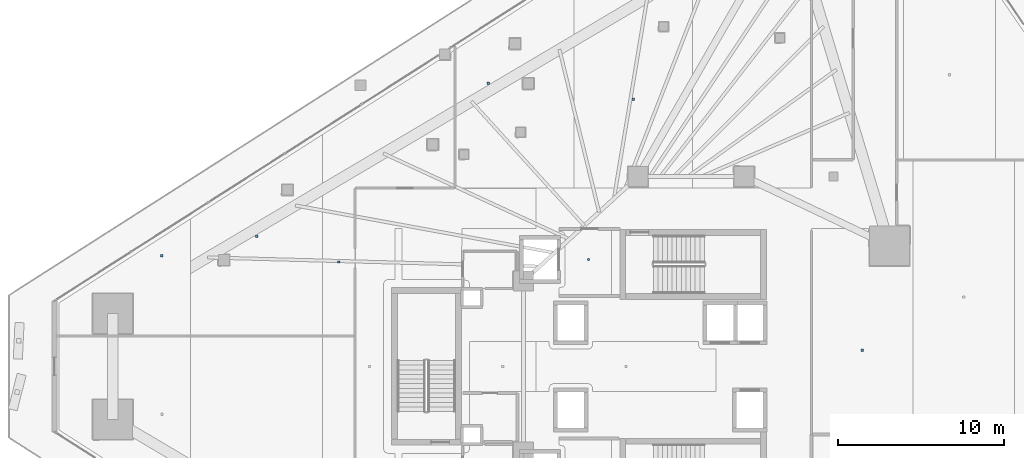
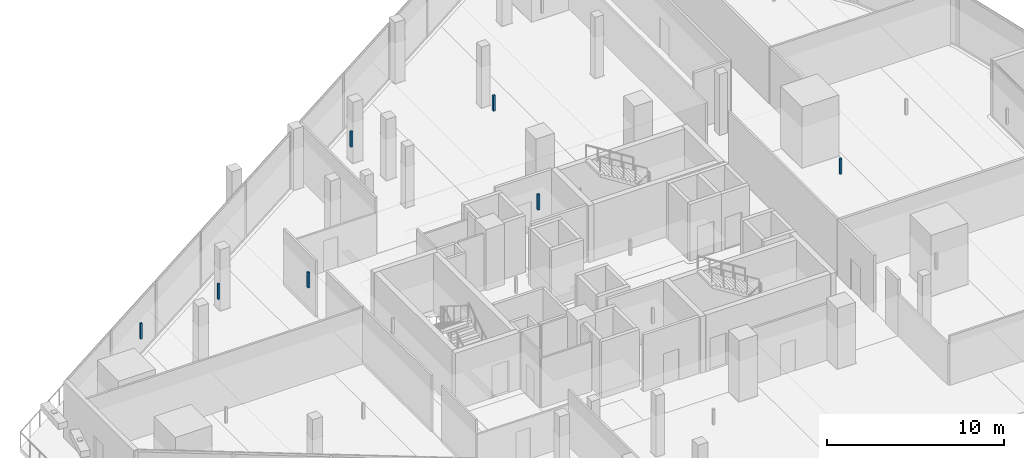
# One storey, part 34 of 45: 7 discrete accessories.
"""IFC4 building model written with IfcOpenShell, lengths in metres."""

from ifc_helpers import new_model, si_unit, direction, frame, origin, origin_2d, place, context, subcontext, project, spatial, rectangle, extrude, material, type_object, element, save


model = new_model("IFC4")

# Units and contexts
model_context = context("Model", 3, precision=1e-05, world=origin(), true_north=direction((0.0, 1.0)))
body_context = subcontext(model_context, "Body", "Model", "MODEL_VIEW")
ifc_project = project(units=[si_unit("LENGTHUNIT", "METRE"), si_unit("AREAUNIT", "SQUARE_METRE"), si_unit("VOLUMEUNIT", "CUBIC_METRE"), si_unit("PLANEANGLEUNIT", "RADIAN"), si_unit("MASSUNIT", "GRAM", prefix="KILO")], contexts=[model_context])

# Site, building, storey
site_placement = place(None, origin())
site = spatial("IfcSite", under=ifc_project, at=site_placement, CompositionType="ELEMENT")
building_placement = place(site_placement, origin())
building = spatial("IfcBuilding", under=site, at=building_placement, Name="Qorvath Tower", CompositionType="ELEMENT")
storey_placement = place(building_placement, frame((0.0, 0.0, 95.39990234375)))
storey = spatial("IfcBuildingStorey", under=building, at=storey_placement, Name="L21", CompositionType="ELEMENT", Elevation=95.39990234375)

# Discrete accessories
ifc_material = material(Name="Galvanised steel bracket", Category="steel")
discrete_accessory_type = type_object("IfcDiscreteAccessoryType", Name="DA-BRACKET", PredefinedType="BRACKET", material=ifc_material)
for number, where, z_axis, x_axis, name in (
    (1, (-26.590087890625, 6.449951171875, 2.85986328125), (0.0, 0.0, 1.0), (1.0, 0.0, 0.0), "Acoustic Ceiling Suspension Hanger T1-L21-001"),
    (2, (-32.623046875, 17.080810546875, 2.85986328125), (0.0, 0.0, 1.0), (1.0, 0.0, 0.0), "Acoustic Ceiling Suspension Hanger T1-L21-009"),
    (3, (-23.889892578125, 16.126220703125, 2.85986328125), (0.0, 0.0, 1.0), (1.0, 0.0, 0.0), "Acoustic Ceiling Suspension Hanger T1-L21-010"),
    (4, (-10.072509765625, 0.971923828125, 2.85986328125), (0.0, 0.0, 1.0), (1.0, 0.0, 0.0), "Acoustic Ceiling Suspension Hanger T1-L21-018"),
    (5, (-52.327392578125, 6.670654296875, 2.85986328125), (0.0, 0.0, 1.0), (1.0, 0.0, 0.0), "Acoustic Ceiling Suspension Hanger T1-L21-027"),
    (6, (-46.6005859375, 7.848388671875, 2.85986328125), (0.0, 0.0, 1.0), (1.0, 0.0, 0.0), "Acoustic Ceiling Suspension Hanger T1-L21-028"),
    (7, (-41.641845703125, 6.302490234375, 2.85986328125), (0.0, 0.0, 1.0), (1.0, 0.0, 0.0), "Acoustic Ceiling Suspension Hanger T1-L21-029"),
):
    element("IfcDiscreteAccessory", number, at=place(storey_placement, frame(where, z_axis=z_axis, x_axis=x_axis)), inside=storey, type_object=discrete_accessory_type, Name=name, PredefinedType="NOTDEFINED", context=body_context, shape_type="SweptSolid", body=[
        extrude(rectangle(XDim=0.139892578125, YDim=0.139892578125, at=origin_2d()), origin(), (0.0, 0.0, 1.0), 1.070068359375),
    ])

save(model, "model.ifc")
